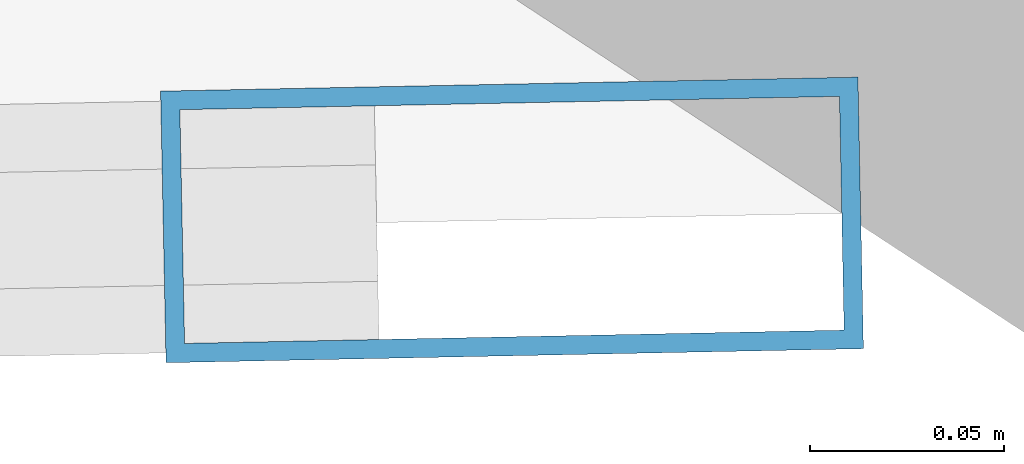
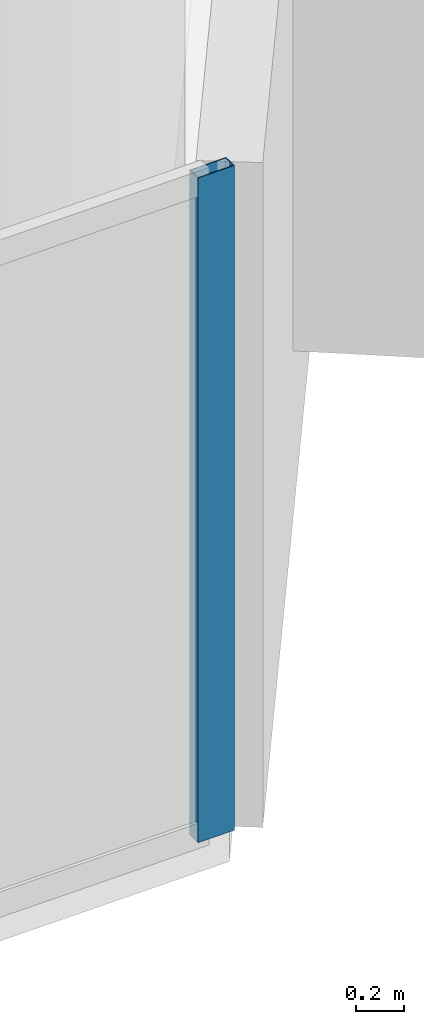
# One storey, part 12 of 22: 1 member, 1 element without a shape of its own.
"""IFC4 building model written with IfcOpenShell, lengths in metres."""

import ifcopenshell
import ifcopenshell.guid

model = None  # the IFC model being written
_history = None  # IfcOwnerHistory: only IFC2X3 demands one
_inside = {}  # id of a spatial element -> (the spatial element, [elements in it])
_under = {}  # id of a project, library or spatial element -> (it, [spatial elements below it])
_declared = {}  # id of a project -> (the project, [libraries it declares])
_typed = {}  # id of a type object -> (the type object, [elements of that type])
_made_of = {}  # id of a material, layer set ... -> (it, [elements and type objects made of it])


def new_model(schema):
    """Start an empty IFC model of exactly this schema.

    Asked for "IFC4X3", IfcOpenShell would pick the latest addendum, in which some entities
    have other attributes; the version numbers below select the first issue.
    IFC2X3 requires an IfcOwnerHistory on every rooted entity: one is made here for all.
    """
    global model, _history
    if schema == "IFC4X3":
        model = ifcopenshell.file(schema_version=(4, 3, 0, 0))
    else:
        model = ifcopenshell.file(schema=schema)
    _inside.clear()
    _under.clear()
    _declared.clear()
    _typed.clear()
    _made_of.clear()
    _history = None
    if model.schema == "IFC2X3":
        org = make("IfcOrganization", Name="unknown")
        user = make(
            "IfcPersonAndOrganization",
            ThePerson=make("IfcPerson", FamilyName="unknown"),
            TheOrganization=org,
        )
        app = make(
            "IfcApplication",
            ApplicationDeveloper=org,
            Version="unknown",
            ApplicationFullName="unknown",
            ApplicationIdentifier="unknown",
        )
        _history = make(
            "IfcOwnerHistory",
            OwningUser=user,
            OwningApplication=app,
            ChangeAction="ADDED",
            CreationDate=0,
        )
    return model


def make(cls, **values):
    """One entity of the class cls with the attributes given. An attribute that is None is left unset."""
    return model.create_entity(
        cls, **{name: value for name, value in values.items() if value is not None}
    )


def rooted(cls, **values):
    """An entity with a GlobalId (a new one), such as an element, a storey or a relation."""
    return make(cls, GlobalId=ifcopenshell.guid.new(), OwnerHistory=_history, **values)


def si_unit(unit_type, name, prefix=None):
    """IfcSIUnit, for example si_unit("LENGTHUNIT", "METRE", prefix="MILLI")."""
    return make("IfcSIUnit", UnitType=unit_type, Prefix=prefix, Name=name)


def assignment(units):
    """IfcUnitAssignment: the units of a project."""
    return None if units is None else make("IfcUnitAssignment", Units=units)


def point(xyz):
    """IfcCartesianPoint."""
    return None if xyz is None else make("IfcCartesianPoint", Coordinates=xyz)


def direction(xyz):
    """IfcDirection."""
    return None if xyz is None else make("IfcDirection", DirectionRatios=xyz)


def frame(location, z_axis=None, x_axis=None):
    """IfcAxis2Placement3D, a coordinate frame: its origin and axes. An axis left out is left unset."""
    return make(
        "IfcAxis2Placement3D",
        Location=point(location),
        Axis=direction(z_axis),
        RefDirection=direction(x_axis),
    )


def frame_2d(location, x_axis=None):
    """IfcAxis2Placement2D, a coordinate frame in the plane: its origin and x axis."""
    return make(
        "IfcAxis2Placement2D", Location=point(location), RefDirection=direction(x_axis)
    )


def origin():
    """The frame at (0, 0, 0) with its axes left unset."""
    return frame((0.0, 0.0, 0.0))


def origin_2d():
    """The frame at (0, 0) in the plane with its x axis left unset."""
    return frame_2d((0.0, 0.0))


def place(relative_to, where):
    """IfcLocalPlacement: puts the frame where relative to a parent placement (None: the world)."""
    return make(
        "IfcLocalPlacement", PlacementRelTo=relative_to, RelativePlacement=where
    )


def context(
    kind, dimensions, precision=None, world=None, true_north=None, identifier=None
):
    """IfcGeometricRepresentationContext, for example the 3D "Model" context."""
    return make(
        "IfcGeometricRepresentationContext",
        ContextIdentifier=identifier,
        ContextType=kind,
        CoordinateSpaceDimension=dimensions,
        Precision=precision,
        WorldCoordinateSystem=world,
        TrueNorth=true_north,
    )


def subcontext(parent, identifier, kind, view, scale=None):
    """IfcGeometricRepresentationSubContext, for example "Body" below "Model"."""
    return make(
        "IfcGeometricRepresentationSubContext",
        ContextIdentifier=identifier,
        ContextType=kind,
        ParentContext=parent,
        TargetScale=scale,
        TargetView=view,
    )


def project(units=None, contexts=None):
    """IfcProject with its units and contexts."""
    return rooted(
        "IfcProject",
        Name="project",
        RepresentationContexts=contexts,
        UnitsInContext=assignment(units),
    )


def spatial(cls, under=None, at=None, **own):
    """A site, building, storey or space (cls), placed at a placement, below another one or the project."""
    s = rooted(cls, ObjectPlacement=at, **own)
    if under is not None:
        _under.setdefault(under.id(), (under, []))[1].append(s)
    return s


def profile(cls, at=None, kind="AREA", **sizes):
    """A parametric profile (cls). Its sizes go by their IFC names, for example OverallWidth=200.0."""
    return make(cls, ProfileType=kind, Position=at, **sizes)


def hollow_rectangle(**sizes):
    """IfcRectangleHollowProfileDef."""
    return profile("IfcRectangleHollowProfileDef", **sizes)


def extrude(swept, where, along, depth):
    """IfcExtrudedAreaSolid: the profile swept, set in the frame where, extruded along a direction by depth."""
    return make(
        "IfcExtrudedAreaSolid",
        SweptArea=swept,
        Position=where,
        ExtrudedDirection=direction(along),
        Depth=depth,
    )


def shape(context_of_items, identifier, shape_type, items):
    """IfcShapeRepresentation: the items that make up one representation, for example the "Body"."""
    return make(
        "IfcShapeRepresentation",
        ContextOfItems=context_of_items,
        RepresentationIdentifier=identifier,
        RepresentationType=shape_type,
        Items=items,
    )


def material(Name=None, Category=None):
    """IfcMaterial."""
    return make("IfcMaterial", Name=Name, Category=Category)


def layer(
    of_material, thickness, ventilated=None, Name=None, Category=None, Priority=None
):
    """IfcMaterialLayer: one layer of a wall or slab, of a material (None: an air gap)."""
    return make(
        "IfcMaterialLayer",
        Material=of_material,
        LayerThickness=thickness,
        IsVentilated=ventilated,
        Name=Name,
        Category=Category,
        Priority=Priority,
    )


def layer_set(layers, Name=None):
    """IfcMaterialLayerSet."""
    return make("IfcMaterialLayerSet", MaterialLayers=layers, LayerSetName=Name)


def material_profile(
    of_material, cross_section, Name=None, Category=None, Priority=None
):
    """IfcMaterialProfile: a cross section and its material."""
    return make(
        "IfcMaterialProfile",
        Name=Name,
        Material=of_material,
        Profile=cross_section,
        Priority=Priority,
        Category=Category,
    )


def profile_set(profiles, Name=None, composite=None):
    """IfcMaterialProfileSet."""
    return make(
        "IfcMaterialProfileSet",
        Name=Name,
        MaterialProfiles=profiles,
        CompositeProfile=composite,
    )


def made_of(thing, what):
    """Note that an element or type object is made of a material, layer set ...; save() writes the relation."""
    if what is not None:
        _made_of.setdefault(what.id(), (what, []))[1].append(thing)
    return thing


def type_object(cls, material=None, **own):
    """A type object (cls), such as IfcWallType, which elements share."""
    return made_of(rooted(cls, **own), material)


def element(
    cls,
    number,
    at=None,
    inside=None,
    cuts=None,
    type_object=None,
    material=None,
    context=None,
    identifier="Body",
    shape_type=None,
    held_by="IfcProductDefinitionShape",
    body=None,
    shapes=None,
    **own,
):
    """One element of the class cls, such as IfcWall. Its Tag is "e" and its number.

    at: its placement. inside: the storey or other place that contains it. cuts: it is an
    opening in that element (IfcRelVoidsElement). A single representation is given by context,
    identifier, shape_type and body (its items); several are given by shapes. held_by: the class
    of the entity that holds the representations. save() writes the other relations.
    """
    e = rooted(cls, Tag="e%d" % number, ObjectPlacement=at, **own)
    if body is not None:
        shapes = [shape(context, identifier, shape_type, body)]
    if shapes is not None:
        e.Representation = make(held_by, Representations=shapes)
    if inside is not None:
        _inside.setdefault(inside.id(), (inside, []))[1].append(e)
    if cuts is not None:
        rooted(
            "IfcRelVoidsElement", RelatingBuildingElement=cuts, RelatedOpeningElement=e
        )
    if type_object is not None:
        _typed.setdefault(type_object.id(), (type_object, []))[1].append(e)
    return made_of(e, material)


def aggregate(whole, parts):
    """IfcRelAggregates: a whole, such as a stair, and the parts it consists of."""
    return rooted("IfcRelAggregates", RelatingObject=whole, RelatedObjects=parts)


def save(model, path):
    """Write the relations noted so far, then the file.

    IfcRelAggregates (storeys below a building ...), IfcRelContainedInSpatialStructure (elements
    in a storey), IfcRelDefinesByType, IfcRelAssociatesMaterial and IfcRelDeclares: one each for
    every whole, place, type object, material and project.
    """
    for whole, parts in _under.values():
        aggregate(whole, parts)
    for where, things in _inside.values():
        rooted(
            "IfcRelContainedInSpatialStructure",
            RelatedElements=things,
            RelatingStructure=where,
        )
    for kind, things in _typed.values():
        rooted("IfcRelDefinesByType", RelatedObjects=things, RelatingType=kind)
    for what, things in _made_of.values():
        rooted("IfcRelAssociatesMaterial", RelatedObjects=things, RelatingMaterial=what)
    for by, libraries in _declared.values():
        rooted("IfcRelDeclares", RelatingContext=by, RelatedDefinitions=libraries)
    model.write(path)


model = new_model("IFC4")

# Units and contexts
model_context = context("Model", 3, precision=1e-05, world=origin(), true_north=direction((0.0, 1.0)))
body_context = subcontext(model_context, "Body", "Model", "MODEL_VIEW")
ifc_project = project(units=[si_unit("LENGTHUNIT", "METRE"), si_unit("AREAUNIT", "SQUARE_METRE"), si_unit("VOLUMEUNIT", "CUBIC_METRE"), si_unit("PLANEANGLEUNIT", "RADIAN"), si_unit("MASSUNIT", "GRAM", prefix="KILO")], contexts=[model_context])

# Site, building, storey
site_placement = place(None, origin())
site = spatial("IfcSite", under=ifc_project, at=site_placement, CompositionType="ELEMENT")
building_placement = place(site_placement, origin())
building = spatial("IfcBuilding", under=site, at=building_placement, Name="Qianvela Tower", CompositionType="ELEMENT")
storey_placement = place(building_placement, frame((0.0, 0.0, 44.199951171875)))
storey = spatial("IfcBuildingStorey", under=building, at=storey_placement, Name="L10", CompositionType="ELEMENT", Elevation=44.199951171875)

# Curtain wall, member
ifc_material_1 = material(Name="Anodised Architectural Aluminium and Low-E Glass", Category="aluminium")
ifc_layer = layer(ifc_material_1, 0.179931640625)
ifc_layer_set = layer_set([ifc_layer], Name="Anodised Architectural Aluminium and Low-E Glass")
curtain_wall_type = type_object("IfcCurtainWallType", Name="CW-COLIV-Z12", PredefinedType="USERDEFINED", material=ifc_layer_set)
curtain_wall_placement = place(storey_placement, origin())
curtain_wall = element("IfcCurtainWall", 1, at=curtain_wall_placement, inside=storey, type_object=curtain_wall_type, Name="L10 CW-COLIV-Z12 Curtain Wall 06C", ObjectType="CURTAIN_WALL_SYSTEM", PredefinedType="USERDEFINED")
ifc_material_2 = material(Name="Anodised Architectural Aluminium 6063-T6", Category="aluminium")
ifc_material_profile = material_profile(ifc_material_2, hollow_rectangle(XDim=0.070068359375, YDim=0.179931640625, WallThickness=0.0048828125, at=origin_2d()), Name="ALU-MULL-70x180")
ifc_profile_set = profile_set([ifc_material_profile], Name="Anodised Architectural Aluminium 6063-T6")
member_type = type_object("IfcMemberType", Name="CW-COLIV-Z12-MULL", PredefinedType="MULLION", material=ifc_profile_set)
member_placement = place(storey_placement, frame((53.147705078125, 12.92626953125, 0.0), z_axis=(0.0, 0.0, 1.0), x_axis=(-0.020121343706, 0.99979754527, 0.0)))
member = element("IfcMember", 2, at=member_placement, type_object=member_type, Name="CW-3 mullion 2", PredefinedType="MULLION", context=body_context, shape_type="SweptSolid", body=[
    extrude(hollow_rectangle(XDim=0.070068359375, YDim=0.179931640625, WallThickness=0.0048828125, at=origin_2d()), origin(), (0.0, 0.0, 1.0), 3.400146484375),
])
aggregate(curtain_wall, [member])

save(model, "model.ifc")
